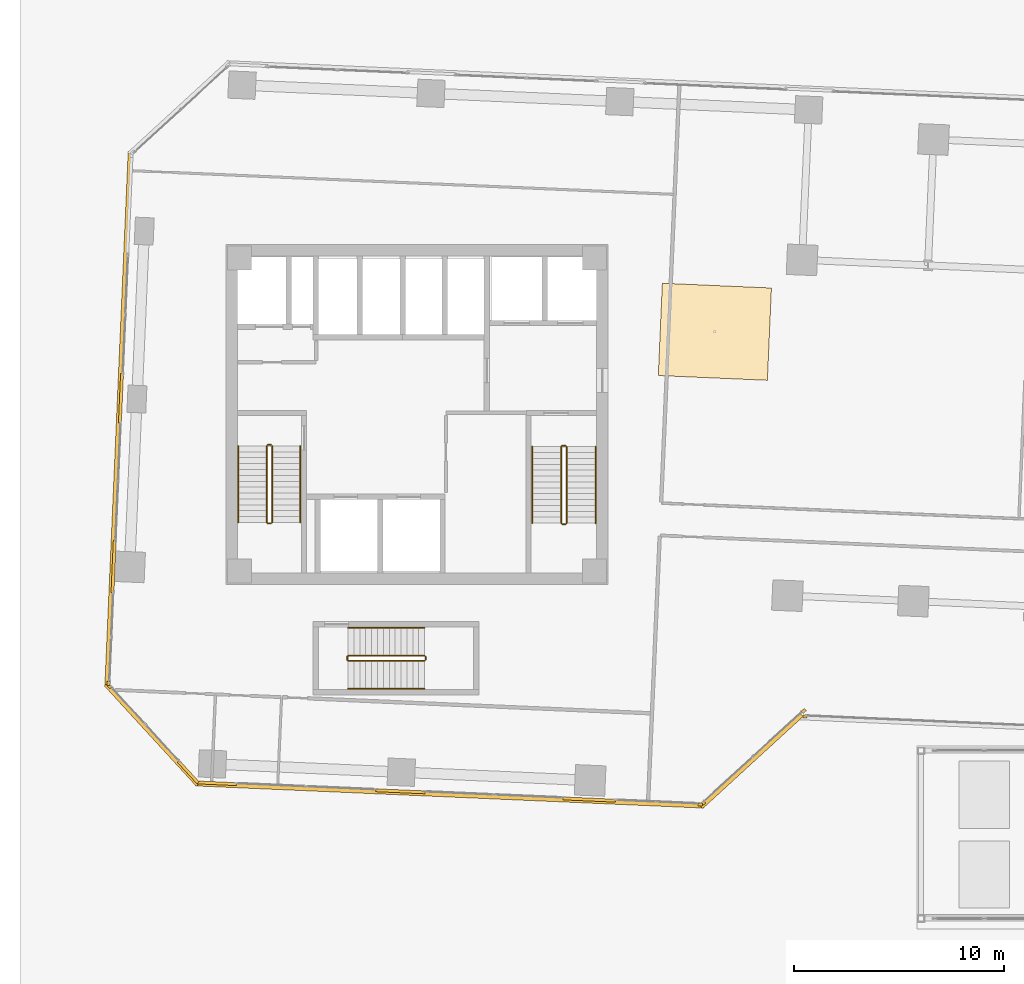
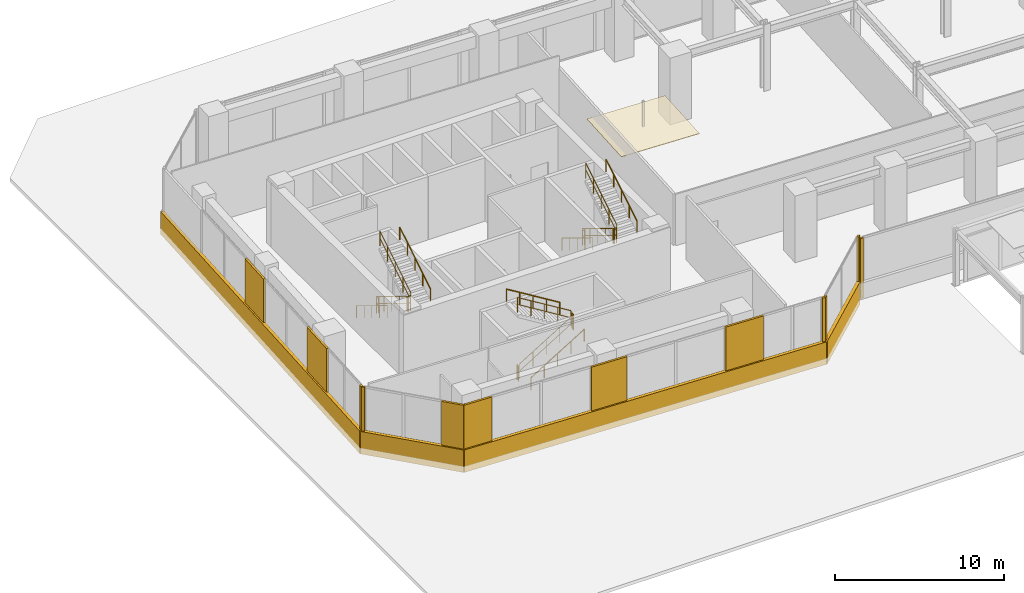
# One storey, part 30 of 33: 18 railings, 17 coverings.
"""IFC4 building model written with IfcOpenShell, lengths in metres."""

import ifcopenshell
import ifcopenshell.guid

model = None  # the IFC model being written
_history = None  # IfcOwnerHistory: only IFC2X3 demands one
_inside = {}  # id of a spatial element -> (the spatial element, [elements in it])
_under = {}  # id of a project, library or spatial element -> (it, [spatial elements below it])
_declared = {}  # id of a project -> (the project, [libraries it declares])
_typed = {}  # id of a type object -> (the type object, [elements of that type])
_made_of = {}  # id of a material, layer set ... -> (it, [elements and type objects made of it])


def new_model(schema):
    """Start an empty IFC model of exactly this schema.

    Asked for "IFC4X3", IfcOpenShell would pick the latest addendum, in which some entities
    have other attributes; the version numbers below select the first issue.
    IFC2X3 requires an IfcOwnerHistory on every rooted entity: one is made here for all.
    """
    global model, _history
    if schema == "IFC4X3":
        model = ifcopenshell.file(schema_version=(4, 3, 0, 0))
    else:
        model = ifcopenshell.file(schema=schema)
    _inside.clear()
    _under.clear()
    _declared.clear()
    _typed.clear()
    _made_of.clear()
    _history = None
    if model.schema == "IFC2X3":
        org = make("IfcOrganization", Name="unknown")
        user = make(
            "IfcPersonAndOrganization",
            ThePerson=make("IfcPerson", FamilyName="unknown"),
            TheOrganization=org,
        )
        app = make(
            "IfcApplication",
            ApplicationDeveloper=org,
            Version="unknown",
            ApplicationFullName="unknown",
            ApplicationIdentifier="unknown",
        )
        _history = make(
            "IfcOwnerHistory",
            OwningUser=user,
            OwningApplication=app,
            ChangeAction="ADDED",
            CreationDate=0,
        )
    return model


def make(cls, **values):
    """One entity of the class cls with the attributes given. An attribute that is None is left unset."""
    return model.create_entity(
        cls, **{name: value for name, value in values.items() if value is not None}
    )


def rooted(cls, **values):
    """An entity with a GlobalId (a new one), such as an element, a storey or a relation."""
    return make(cls, GlobalId=ifcopenshell.guid.new(), OwnerHistory=_history, **values)


def si_unit(unit_type, name, prefix=None):
    """IfcSIUnit, for example si_unit("LENGTHUNIT", "METRE", prefix="MILLI")."""
    return make("IfcSIUnit", UnitType=unit_type, Prefix=prefix, Name=name)


def assignment(units):
    """IfcUnitAssignment: the units of a project."""
    return None if units is None else make("IfcUnitAssignment", Units=units)


def point(xyz):
    """IfcCartesianPoint."""
    return None if xyz is None else make("IfcCartesianPoint", Coordinates=xyz)


def direction(xyz):
    """IfcDirection."""
    return None if xyz is None else make("IfcDirection", DirectionRatios=xyz)


def frame(location, z_axis=None, x_axis=None):
    """IfcAxis2Placement3D, a coordinate frame: its origin and axes. An axis left out is left unset."""
    return make(
        "IfcAxis2Placement3D",
        Location=point(location),
        Axis=direction(z_axis),
        RefDirection=direction(x_axis),
    )


def frame_2d(location, x_axis=None):
    """IfcAxis2Placement2D, a coordinate frame in the plane: its origin and x axis."""
    return make(
        "IfcAxis2Placement2D", Location=point(location), RefDirection=direction(x_axis)
    )


def origin():
    """The frame at (0, 0, 0) with its axes left unset."""
    return frame((0.0, 0.0, 0.0))


def origin_2d():
    """The frame at (0, 0) in the plane with its x axis left unset."""
    return frame_2d((0.0, 0.0))


def place(relative_to, where):
    """IfcLocalPlacement: puts the frame where relative to a parent placement (None: the world)."""
    return make(
        "IfcLocalPlacement", PlacementRelTo=relative_to, RelativePlacement=where
    )


def context(
    kind, dimensions, precision=None, world=None, true_north=None, identifier=None
):
    """IfcGeometricRepresentationContext, for example the 3D "Model" context."""
    return make(
        "IfcGeometricRepresentationContext",
        ContextIdentifier=identifier,
        ContextType=kind,
        CoordinateSpaceDimension=dimensions,
        Precision=precision,
        WorldCoordinateSystem=world,
        TrueNorth=true_north,
    )


def subcontext(parent, identifier, kind, view, scale=None):
    """IfcGeometricRepresentationSubContext, for example "Body" below "Model"."""
    return make(
        "IfcGeometricRepresentationSubContext",
        ContextIdentifier=identifier,
        ContextType=kind,
        ParentContext=parent,
        TargetScale=scale,
        TargetView=view,
    )


def project(units=None, contexts=None):
    """IfcProject with its units and contexts."""
    return rooted(
        "IfcProject",
        Name="project",
        RepresentationContexts=contexts,
        UnitsInContext=assignment(units),
    )


def spatial(cls, under=None, at=None, **own):
    """A site, building, storey or space (cls), placed at a placement, below another one or the project."""
    s = rooted(cls, ObjectPlacement=at, **own)
    if under is not None:
        _under.setdefault(under.id(), (under, []))[1].append(s)
    return s


def polyline(points):
    """IfcPolyline through the points."""
    return make("IfcPolyline", Points=[point(p) for p in points])


def profile(cls, at=None, kind="AREA", **sizes):
    """A parametric profile (cls). Its sizes go by their IFC names, for example OverallWidth=200.0."""
    return make(cls, ProfileType=kind, Position=at, **sizes)


def rectangle(**sizes):
    """IfcRectangleProfileDef."""
    return profile("IfcRectangleProfileDef", **sizes)


def circle(**sizes):
    """IfcCircleProfileDef."""
    return profile("IfcCircleProfileDef", **sizes)


def outline(outer, holes=None, kind="AREA"):
    """IfcArbitraryClosedProfileDef: a profile drawn as a closed curve; with holes, ...WithVoids."""
    if holes is None:
        return make("IfcArbitraryClosedProfileDef", ProfileType=kind, OuterCurve=outer)
    return make(
        "IfcArbitraryProfileDefWithVoids",
        ProfileType=kind,
        OuterCurve=outer,
        InnerCurves=holes,
    )


def extrude(swept, where, along, depth):
    """IfcExtrudedAreaSolid: the profile swept, set in the frame where, extruded along a direction by depth."""
    return make(
        "IfcExtrudedAreaSolid",
        SweptArea=swept,
        Position=where,
        ExtrudedDirection=direction(along),
        Depth=depth,
    )


def shape(context_of_items, identifier, shape_type, items):
    """IfcShapeRepresentation: the items that make up one representation, for example the "Body"."""
    return make(
        "IfcShapeRepresentation",
        ContextOfItems=context_of_items,
        RepresentationIdentifier=identifier,
        RepresentationType=shape_type,
        Items=items,
    )


def source(mapping_origin, context_of_items, identifier, shape_type, items):
    """IfcRepresentationMap: a shape defined once, which mapped items show again and again."""
    return make(
        "IfcRepresentationMap",
        MappingOrigin=mapping_origin,
        MappedRepresentation=shape(context_of_items, identifier, shape_type, items),
    )


def transform(
    local_origin,
    x_axis=None,
    y_axis=None,
    z_axis=None,
    scale=None,
    scale2=None,
    scale3=None,
    uniform=True,
):
    """IfcCartesianTransformationOperator3D, or its non-uniform kind. x_axis, y_axis, z_axis: its Axis1, 2, 3."""
    if uniform:
        return make(
            "IfcCartesianTransformationOperator3D",
            Axis1=direction(x_axis),
            Axis2=direction(y_axis),
            LocalOrigin=point(local_origin),
            Scale=scale,
            Axis3=direction(z_axis),
        )
    return make(
        "IfcCartesianTransformationOperator3DnonUniform",
        Axis1=direction(x_axis),
        Axis2=direction(y_axis),
        LocalOrigin=point(local_origin),
        Scale=scale,
        Axis3=direction(z_axis),
        Scale2=scale2,
        Scale3=scale3,
    )


def mapped(mapping_source, mapping_target):
    """IfcMappedItem: shows the shape of a source again, moved by a transform."""
    return make(
        "IfcMappedItem", MappingSource=mapping_source, MappingTarget=mapping_target
    )


def material(Name=None, Category=None):
    """IfcMaterial."""
    return make("IfcMaterial", Name=Name, Category=Category)


def layer(
    of_material, thickness, ventilated=None, Name=None, Category=None, Priority=None
):
    """IfcMaterialLayer: one layer of a wall or slab, of a material (None: an air gap)."""
    return make(
        "IfcMaterialLayer",
        Material=of_material,
        LayerThickness=thickness,
        IsVentilated=ventilated,
        Name=Name,
        Category=Category,
        Priority=Priority,
    )


def layer_set(layers, Name=None):
    """IfcMaterialLayerSet."""
    return make("IfcMaterialLayerSet", MaterialLayers=layers, LayerSetName=Name)


def made_of(thing, what):
    """Note that an element or type object is made of a material, layer set ...; save() writes the relation."""
    if what is not None:
        _made_of.setdefault(what.id(), (what, []))[1].append(thing)
    return thing


def type_object(cls, material=None, **own):
    """A type object (cls), such as IfcWallType, which elements share."""
    return made_of(rooted(cls, **own), material)


def element(
    cls,
    number,
    at=None,
    inside=None,
    cuts=None,
    type_object=None,
    material=None,
    context=None,
    identifier="Body",
    shape_type=None,
    held_by="IfcProductDefinitionShape",
    body=None,
    shapes=None,
    **own,
):
    """One element of the class cls, such as IfcWall. Its Tag is "e" and its number.

    at: its placement. inside: the storey or other place that contains it. cuts: it is an
    opening in that element (IfcRelVoidsElement). A single representation is given by context,
    identifier, shape_type and body (its items); several are given by shapes. held_by: the class
    of the entity that holds the representations. save() writes the other relations.
    """
    e = rooted(cls, Tag="e%d" % number, ObjectPlacement=at, **own)
    if body is not None:
        shapes = [shape(context, identifier, shape_type, body)]
    if shapes is not None:
        e.Representation = make(held_by, Representations=shapes)
    if inside is not None:
        _inside.setdefault(inside.id(), (inside, []))[1].append(e)
    if cuts is not None:
        rooted(
            "IfcRelVoidsElement", RelatingBuildingElement=cuts, RelatedOpeningElement=e
        )
    if type_object is not None:
        _typed.setdefault(type_object.id(), (type_object, []))[1].append(e)
    return made_of(e, material)


def aggregate(whole, parts):
    """IfcRelAggregates: a whole, such as a stair, and the parts it consists of."""
    return rooted("IfcRelAggregates", RelatingObject=whole, RelatedObjects=parts)


def save(model, path):
    """Write the relations noted so far, then the file.

    IfcRelAggregates (storeys below a building ...), IfcRelContainedInSpatialStructure (elements
    in a storey), IfcRelDefinesByType, IfcRelAssociatesMaterial and IfcRelDeclares: one each for
    every whole, place, type object, material and project.
    """
    for whole, parts in _under.values():
        aggregate(whole, parts)
    for where, things in _inside.values():
        rooted(
            "IfcRelContainedInSpatialStructure",
            RelatedElements=things,
            RelatingStructure=where,
        )
    for kind, things in _typed.values():
        rooted("IfcRelDefinesByType", RelatedObjects=things, RelatingType=kind)
    for what, things in _made_of.values():
        rooted("IfcRelAssociatesMaterial", RelatedObjects=things, RelatingMaterial=what)
    for by, libraries in _declared.values():
        rooted("IfcRelDeclares", RelatingContext=by, RelatedDefinitions=libraries)
    model.write(path)


model = new_model("IFC4")

# Units and contexts
model_context = context("Model", 3, precision=1e-05, world=origin(), true_north=direction((0.0, 1.0)))
body_context = subcontext(model_context, "Body", "Model", "MODEL_VIEW")
ifc_project = project(units=[si_unit("LENGTHUNIT", "METRE"), si_unit("AREAUNIT", "SQUARE_METRE"), si_unit("VOLUMEUNIT", "CUBIC_METRE"), si_unit("PLANEANGLEUNIT", "RADIAN"), si_unit("MASSUNIT", "GRAM", prefix="KILO")], contexts=[model_context])

# Site, building, storey
site_placement = place(None, origin())
site = spatial("IfcSite", under=ifc_project, at=site_placement, CompositionType="ELEMENT")
building_placement = place(site_placement, origin())
building = spatial("IfcBuilding", under=site, at=building_placement, Name="Torre Montelarca", CompositionType="ELEMENT")
storey_placement = place(building_placement, frame((0.0, 0.0, 32.800048828125)))
storey = spatial("IfcBuildingStorey", under=building, at=storey_placement, Name="L07", CompositionType="ELEMENT", Elevation=32.800048828125)

# Covering
ifc_material_1 = material(Name="Perforated acoustic mineral fibre board", Category="gypsum")
ifc_layer_1 = layer(ifc_material_1, 0.0400390625, Name="Perforated acoustic mineral fibre board", Category="gypsum")
ifc_layer_set_1 = layer_set([ifc_layer_1], Name="Perforated acoustic mineral fibre board")
covering_type_1 = type_object("IfcCoveringType", Name="COV-CEIL-AC1", PredefinedType="CEILING", material=ifc_layer_set_1)
covering_1_placement = place(storey_placement, frame((0.0, 0.0, 2.719970703125)))
element("IfcCovering", 1, at=covering_1_placement, inside=storey, type_object=covering_type_1, Name="L07 Acoustic Suspended Ceiling 01", PredefinedType="CEILING", context=body_context, shape_type="SweptSolid", body=[
    extrude(outline(polyline([(29.48828125, 33.853271484375), (34.68359375, 33.62646484375), (34.87548828125, 38.022216796875), (29.680419921875, 38.2490234375), (29.48828125, 33.853271484375)])), origin(), (0.0, 0.0, 1.0), 0.0400390625),
])

# Railings
ifc_material_2 = material(Name="Powder-coated steel ASTM A500 Grade C", Category="steel")
railing_type_1 = type_object("IfcRailingType", Name="RL-GUARD-1100", PredefinedType="BALUSTRADE", material=ifc_material_2)
railing_1_placement = place(storey_placement, frame((10.85009765625, 30.5, 0.17138671875)))
element("IfcRailing", 2, at=railing_1_placement, inside=storey, type_object=railing_type_1, Name="L07 ST1 stair guard 1", PredefinedType="BALUSTRADE", context=body_context, shape_type="SweptSolid", body=[
    extrude(circle(Radius=0.02392578125, at=origin_2d()), frame((0.0, 0.0, 1.076171875), z_axis=(0.0, -0.852850264322, 0.5221555579), x_axis=(1.0, 0.0, 0.0)), (0.0, 0.0, 1.0), 4.267822265625),
    extrude(circle(Radius=0.02099609375, at=origin_2d()), frame((0.0, 0.0, 0.572021484375), z_axis=(0.0, -0.852850264322, 0.5221555579), x_axis=(1.0, 0.0, 0.0)), (0.0, 0.0, 1.0), 4.267822265625),
    extrude(circle(Radius=0.02099609375, at=origin_2d()), origin(), (0.0, 0.0, 1.0), 1.052001953125),
    extrude(circle(Radius=0.02099609375, at=origin_2d()), frame((0.0, -0.909912109375, 0.55712890625)), (0.0, 0.0, 1.0), 1.052001953125),
    extrude(circle(Radius=0.02099609375, at=origin_2d()), frame((0.0, -1.81982421875, 1.1142578125)), (0.0, 0.0, 1.0), 1.052001953125),
    extrude(circle(Radius=0.02099609375, at=origin_2d()), frame((0.0, -2.72998046875, 1.67138671875)), (0.0, 0.0, 1.0), 1.052001953125),
    extrude(circle(Radius=0.02099609375, at=origin_2d()), frame((0.0, -3.639892578125, 2.228515625)), (0.0, 0.0, 1.0), 1.052001953125),
])
railing_2_placement = place(storey_placement, frame((10.89990234375, 26.81005859375, 2.39990234375)))
element("IfcRailing", 3, at=railing_2_placement, inside=storey, type_object=railing_type_1, Name="L07 ST1 stair guard 2", PredefinedType="BALUSTRADE", context=body_context, shape_type="SweptSolid", body=[
    extrude(circle(Radius=0.02392578125, at=origin_2d()), frame((0.0, 0.0, 1.076171875), z_axis=(1.0, 0.0, 0.0), x_axis=(0.0, 1.0, 0.0)), (0.0, 0.0, 1.0), 0.150146484375),
    extrude(circle(Radius=0.02099609375, at=origin_2d()), frame((0.0, 0.0, 0.572021484375), z_axis=(1.0, 0.0, 0.0), x_axis=(0.0, 1.0, 0.0)), (0.0, 0.0, 1.0), 0.150146484375),
    extrude(circle(Radius=0.02099609375, at=origin_2d()), origin(), (0.0, 0.0, 1.0), 1.052001953125),
    extrude(circle(Radius=0.02099609375, at=origin_2d()), frame((0.150146484375, 0.0, 0.0)), (0.0, 0.0, 1.0), 1.052001953125),
])
railing_3_placement = place(storey_placement, frame((11.10009765625, 26.860107421875, 2.5712890625)))
element("IfcRailing", 4, at=railing_3_placement, inside=storey, type_object=railing_type_1, Name="L07 ST1 stair guard 3", PredefinedType="BALUSTRADE", context=body_context, shape_type="SweptSolid", body=[
    extrude(circle(Radius=0.02392578125, at=origin_2d()), frame((0.0, 0.0, 1.076171875), z_axis=(0.0, 0.852824790078, 0.522197163366), x_axis=(-1.0, 0.0, 0.0)), (0.0, 0.0, 1.0), 4.26806640625),
    extrude(circle(Radius=0.02099609375, at=origin_2d()), frame((0.0, 0.0, 0.572021484375), z_axis=(0.0, 0.852824790078, 0.522197163366), x_axis=(-1.0, 0.0, 0.0)), (0.0, 0.0, 1.0), 4.26806640625),
    extrude(circle(Radius=0.02099609375, at=origin_2d()), origin(), (0.0, 0.0, 1.0), 1.052001953125),
    extrude(circle(Radius=0.02099609375, at=origin_2d()), frame((0.0, 0.909912109375, 0.55712890625)), (0.0, 0.0, 1.0), 1.052001953125),
    extrude(circle(Radius=0.02099609375, at=origin_2d()), frame((0.0, 1.81982421875, 1.1142578125)), (0.0, 0.0, 1.0), 1.052001953125),
    extrude(circle(Radius=0.02099609375, at=origin_2d()), frame((0.0, 2.72998046875, 1.671630859375)), (0.0, 0.0, 1.0), 1.052001953125),
    extrude(circle(Radius=0.02099609375, at=origin_2d()), frame((0.0, 3.639892578125, 2.228759765625)), (0.0, 0.0, 1.0), 1.052001953125),
])
railing_4_placement = place(storey_placement, frame((10.89990234375, 30.550048828125, 0.0)))
element("IfcRailing", 5, at=railing_4_placement, inside=storey, type_object=railing_type_1, Name="L07 ST1 stair guard 4", PredefinedType="BALUSTRADE", context=body_context, shape_type="SweptSolid", body=[
    extrude(circle(Radius=0.02392578125, at=origin_2d()), frame((0.0, 0.0, 1.076171875), z_axis=(1.0, 0.0, 0.0), x_axis=(0.0, 1.0, 0.0)), (0.0, 0.0, 1.0), 0.150146484375),
    extrude(circle(Radius=0.02099609375, at=origin_2d()), frame((0.0, 0.0, 0.572021484375), z_axis=(1.0, 0.0, 0.0), x_axis=(0.0, 1.0, 0.0)), (0.0, 0.0, 1.0), 0.150146484375),
    extrude(circle(Radius=0.02099609375, at=origin_2d()), origin(), (0.0, 0.0, 1.0), 1.052001953125),
    extrude(circle(Radius=0.02099609375, at=origin_2d()), frame((0.150146484375, 0.0, 0.0)), (0.0, 0.0, 1.0), 1.052001953125),
])
railing_5_placement = place(storey_placement, frame((24.8701171875, 30.469970703125, 0.17138671875)))
element("IfcRailing", 6, at=railing_5_placement, inside=storey, type_object=railing_type_1, Name="L07 ST2 stair guard 1", PredefinedType="BALUSTRADE", context=body_context, shape_type="SweptSolid", body=[
    extrude(circle(Radius=0.02392578125, at=origin_2d()), frame((0.0, 0.0, 1.076171875), z_axis=(0.0, -0.852850264322, 0.5221555579), x_axis=(1.0, 0.0, 0.0)), (0.0, 0.0, 1.0), 4.267822265625),
    extrude(circle(Radius=0.02099609375, at=origin_2d()), frame((0.0, 0.0, 0.572021484375), z_axis=(0.0, -0.852850264322, 0.5221555579), x_axis=(1.0, 0.0, 0.0)), (0.0, 0.0, 1.0), 4.267822265625),
    extrude(circle(Radius=0.02099609375, at=origin_2d()), origin(), (0.0, 0.0, 1.0), 1.052001953125),
    extrude(circle(Radius=0.02099609375, at=origin_2d()), frame((0.0, -0.909912109375, 0.55712890625)), (0.0, 0.0, 1.0), 1.052001953125),
    extrude(circle(Radius=0.02099609375, at=origin_2d()), frame((0.0, -1.81982421875, 1.1142578125)), (0.0, 0.0, 1.0), 1.052001953125),
    extrude(circle(Radius=0.02099609375, at=origin_2d()), frame((0.0, -2.72998046875, 1.67138671875)), (0.0, 0.0, 1.0), 1.052001953125),
    extrude(circle(Radius=0.02099609375, at=origin_2d()), frame((0.0, -3.639892578125, 2.228515625)), (0.0, 0.0, 1.0), 1.052001953125),
])
railing_6_placement = place(storey_placement, frame((24.919921875, 26.780029296875, 2.39990234375)))
element("IfcRailing", 7, at=railing_6_placement, inside=storey, type_object=railing_type_1, Name="L07 ST2 stair guard 2", PredefinedType="BALUSTRADE", context=body_context, shape_type="SweptSolid", body=[
    extrude(circle(Radius=0.02392578125, at=origin_2d()), frame((0.0, 0.0, 1.076171875), z_axis=(1.0, 0.0, 0.0), x_axis=(0.0, 1.0, 0.0)), (0.0, 0.0, 1.0), 0.150146484375),
    extrude(circle(Radius=0.02099609375, at=origin_2d()), frame((0.0, 0.0, 0.572021484375), z_axis=(1.0, 0.0, 0.0), x_axis=(0.0, 1.0, 0.0)), (0.0, 0.0, 1.0), 0.150146484375),
    extrude(circle(Radius=0.02099609375, at=origin_2d()), origin(), (0.0, 0.0, 1.0), 1.052001953125),
    extrude(circle(Radius=0.02099609375, at=origin_2d()), frame((0.150146484375, 0.0, 0.0)), (0.0, 0.0, 1.0), 1.052001953125),
])
railing_7_placement = place(storey_placement, frame((25.1201171875, 26.830078125, 2.5712890625)))
element("IfcRailing", 8, at=railing_7_placement, inside=storey, type_object=railing_type_1, Name="L07 ST2 stair guard 3", PredefinedType="BALUSTRADE", context=body_context, shape_type="SweptSolid", body=[
    extrude(circle(Radius=0.02392578125, at=origin_2d()), frame((0.0, 0.0, 1.076171875), z_axis=(0.0, 0.852824790078, 0.522197163366), x_axis=(-1.0, 0.0, 0.0)), (0.0, 0.0, 1.0), 4.26806640625),
    extrude(circle(Radius=0.02099609375, at=origin_2d()), frame((0.0, 0.0, 0.572021484375), z_axis=(0.0, 0.852824790078, 0.522197163366), x_axis=(-1.0, 0.0, 0.0)), (0.0, 0.0, 1.0), 4.26806640625),
    extrude(circle(Radius=0.02099609375, at=origin_2d()), origin(), (0.0, 0.0, 1.0), 1.052001953125),
    extrude(circle(Radius=0.02099609375, at=origin_2d()), frame((0.0, 0.909912109375, 0.55712890625)), (0.0, 0.0, 1.0), 1.052001953125),
    extrude(circle(Radius=0.02099609375, at=origin_2d()), frame((0.0, 1.81982421875, 1.1142578125)), (0.0, 0.0, 1.0), 1.052001953125),
    extrude(circle(Radius=0.02099609375, at=origin_2d()), frame((0.0, 2.72998046875, 1.671630859375)), (0.0, 0.0, 1.0), 1.052001953125),
    extrude(circle(Radius=0.02099609375, at=origin_2d()), frame((0.0, 3.639892578125, 2.228759765625)), (0.0, 0.0, 1.0), 1.052001953125),
])
railing_8_placement = place(storey_placement, frame((24.919921875, 30.52001953125, 0.0)))
element("IfcRailing", 9, at=railing_8_placement, inside=storey, type_object=railing_type_1, Name="L07 ST2 stair guard 4", PredefinedType="BALUSTRADE", context=body_context, shape_type="SweptSolid", body=[
    extrude(circle(Radius=0.02392578125, at=origin_2d()), frame((0.0, 0.0, 1.076171875), z_axis=(1.0, 0.0, 0.0), x_axis=(0.0, 1.0, 0.0)), (0.0, 0.0, 1.0), 0.150146484375),
    extrude(circle(Radius=0.02099609375, at=origin_2d()), frame((0.0, 0.0, 0.572021484375), z_axis=(1.0, 0.0, 0.0), x_axis=(0.0, 1.0, 0.0)), (0.0, 0.0, 1.0), 0.150146484375),
    extrude(circle(Radius=0.02099609375, at=origin_2d()), origin(), (0.0, 0.0, 1.0), 1.052001953125),
    extrude(circle(Radius=0.02099609375, at=origin_2d()), frame((0.150146484375, 0.0, 0.0)), (0.0, 0.0, 1.0), 1.052001953125),
])
railing_9_placement = place(storey_placement, frame((14.719970703125, 20.27001953125, 0.17138671875)))
element("IfcRailing", 10, at=railing_9_placement, inside=storey, type_object=railing_type_1, Name="L07 ST3 stair guard 1", PredefinedType="BALUSTRADE", context=body_context, shape_type="SweptSolid", body=[
    extrude(circle(Radius=0.02392578125, at=origin_2d()), frame((0.0, 0.0, 1.076171875), z_axis=(0.852865859571, 0.0, 0.52213008492), x_axis=(0.0, 1.0, 0.0)), (0.0, 0.0, 1.0), 4.26806640625),
    extrude(circle(Radius=0.02099609375, at=origin_2d()), frame((0.0, 0.0, 0.572021484375), z_axis=(0.852865859571, 0.0, 0.52213008492), x_axis=(0.0, 1.0, 0.0)), (0.0, 0.0, 1.0), 4.26806640625),
    extrude(circle(Radius=0.02099609375, at=origin_2d()), origin(), (0.0, 0.0, 1.0), 1.052001953125),
    extrude(circle(Radius=0.02099609375, at=origin_2d()), frame((0.91015625, 0.0, 0.55712890625)), (0.0, 0.0, 1.0), 1.052001953125),
    extrude(circle(Radius=0.02099609375, at=origin_2d()), frame((1.820068359375, 0.0, 1.1142578125)), (0.0, 0.0, 1.0), 1.052001953125),
    extrude(circle(Radius=0.02099609375, at=origin_2d()), frame((2.72998046875, 0.0, 1.67138671875)), (0.0, 0.0, 1.0), 1.052001953125),
    extrude(circle(Radius=0.02099609375, at=origin_2d()), frame((3.64013671875, 0.0, 2.228515625)), (0.0, 0.0, 1.0), 1.052001953125),
])
railing_10_placement = place(storey_placement, frame((18.409912109375, 20.320068359375, 2.39990234375)))
element("IfcRailing", 11, at=railing_10_placement, inside=storey, type_object=railing_type_1, Name="L07 ST3 stair guard 2", PredefinedType="BALUSTRADE", context=body_context, shape_type="SweptSolid", body=[
    extrude(circle(Radius=0.02392578125, at=origin_2d()), frame((0.0, 0.0, 1.076171875), z_axis=(0.0, 1.0, 0.0), x_axis=(-1.0, 0.0, 0.0)), (0.0, 0.0, 1.0), 0.14990234375),
    extrude(circle(Radius=0.02099609375, at=origin_2d()), frame((0.0, 0.0, 0.572021484375), z_axis=(0.0, 1.0, 0.0), x_axis=(-1.0, 0.0, 0.0)), (0.0, 0.0, 1.0), 0.14990234375),
    extrude(circle(Radius=0.02099609375, at=origin_2d()), origin(), (0.0, 0.0, 1.0), 1.052001953125),
    extrude(circle(Radius=0.02099609375, at=origin_2d()), frame((0.0, 0.14990234375, 0.0)), (0.0, 0.0, 1.0), 1.052001953125),
])
railing_11_placement = place(storey_placement, frame((18.360107421875, 20.52001953125, 2.5712890625)))
element("IfcRailing", 12, at=railing_11_placement, inside=storey, type_object=railing_type_1, Name="L07 ST3 stair guard 3", PredefinedType="BALUSTRADE", context=body_context, shape_type="SweptSolid", body=[
    extrude(circle(Radius=0.02392578125, at=origin_2d()), frame((0.0, 0.0, 1.076171875), z_axis=(-0.852840387347, 0.0, 0.522171689878), x_axis=(0.0, -1.0, 0.0)), (0.0, 0.0, 1.0), 4.268310546875),
    extrude(circle(Radius=0.02099609375, at=origin_2d()), frame((0.0, 0.0, 0.572021484375), z_axis=(-0.852840387347, 0.0, 0.522171689878), x_axis=(0.0, -1.0, 0.0)), (0.0, 0.0, 1.0), 4.268310546875),
    extrude(circle(Radius=0.02099609375, at=origin_2d()), origin(), (0.0, 0.0, 1.0), 1.052001953125),
    extrude(circle(Radius=0.02099609375, at=origin_2d()), frame((-0.91015625, 0.0, 0.55712890625)), (0.0, 0.0, 1.0), 1.052001953125),
    extrude(circle(Radius=0.02099609375, at=origin_2d()), frame((-1.820068359375, 0.0, 1.1142578125)), (0.0, 0.0, 1.0), 1.052001953125),
    extrude(circle(Radius=0.02099609375, at=origin_2d()), frame((-2.72998046875, 0.0, 1.671630859375)), (0.0, 0.0, 1.0), 1.052001953125),
    extrude(circle(Radius=0.02099609375, at=origin_2d()), frame((-3.64013671875, 0.0, 2.228759765625)), (0.0, 0.0, 1.0), 1.052001953125),
])
railing_12_placement = place(storey_placement, frame((14.669921875, 20.320068359375, 0.0)))
element("IfcRailing", 13, at=railing_12_placement, inside=storey, type_object=railing_type_1, Name="L07 ST3 stair guard 4", PredefinedType="BALUSTRADE", context=body_context, shape_type="SweptSolid", body=[
    extrude(circle(Radius=0.02392578125, at=origin_2d()), frame((0.0, 0.0, 1.076171875), z_axis=(0.0, 1.0, 0.0), x_axis=(-1.0, 0.0, 0.0)), (0.0, 0.0, 1.0), 0.14990234375),
    extrude(circle(Radius=0.02099609375, at=origin_2d()), frame((0.0, 0.0, 0.572021484375), z_axis=(0.0, 1.0, 0.0), x_axis=(-1.0, 0.0, 0.0)), (0.0, 0.0, 1.0), 0.14990234375),
    extrude(circle(Radius=0.02099609375, at=origin_2d()), origin(), (0.0, 0.0, 1.0), 1.052001953125),
    extrude(circle(Radius=0.02099609375, at=origin_2d()), frame((0.0, 0.14990234375, 0.0)), (0.0, 0.0, 1.0), 1.052001953125),
])
ifc_material_3 = material(Name="Brushed stainless steel AISI 316", Category="steel")
railing_type_2 = type_object("IfcRailingType", Name="RL-HANDRAIL-900", PredefinedType="HANDRAIL", material=ifc_material_3)
railing_13_placement = place(storey_placement, frame((9.5, 30.5, 0.17138671875)))
element("IfcRailing", 14, at=railing_13_placement, inside=storey, type_object=railing_type_2, Name="L07 ST1 stair handrail 1", PredefinedType="HANDRAIL", context=body_context, shape_type="SweptSolid", body=[
    extrude(circle(Radius=0.02392578125, at=origin_2d()), frame((0.0, 0.0, 0.8759765625), z_axis=(0.0, -0.852850264322, 0.5221555579), x_axis=(1.0, 0.0, 0.0)), (0.0, 0.0, 1.0), 4.267822265625),
    extrude(circle(Radius=0.02099609375, at=origin_2d()), origin(), (0.0, 0.0, 1.0), 0.851806640625),
    extrude(circle(Radius=0.02099609375, at=origin_2d()), frame((0.0, -0.909912109375, 0.55712890625)), (0.0, 0.0, 1.0), 0.851806640625),
    extrude(circle(Radius=0.02099609375, at=origin_2d()), frame((0.0, -1.81982421875, 1.1142578125)), (0.0, 0.0, 1.0), 0.851806640625),
    extrude(circle(Radius=0.02099609375, at=origin_2d()), frame((0.0, -2.72998046875, 1.67138671875)), (0.0, 0.0, 1.0), 0.851806640625),
    extrude(circle(Radius=0.02099609375, at=origin_2d()), frame((0.0, -3.639892578125, 2.228515625)), (0.0, 0.0, 1.0), 0.851806640625),
])
railing_14_placement = place(storey_placement, frame((12.449951171875, 26.860107421875, 2.5712890625)))
element("IfcRailing", 15, at=railing_14_placement, inside=storey, type_object=railing_type_2, Name="L07 ST1 stair handrail 2", PredefinedType="HANDRAIL", context=body_context, shape_type="SweptSolid", body=[
    extrude(circle(Radius=0.02392578125, at=origin_2d()), frame((0.0, 0.0, 0.8759765625), z_axis=(0.0, 0.852824790078, 0.522197163366), x_axis=(-1.0, 0.0, 0.0)), (0.0, 0.0, 1.0), 4.26806640625),
    extrude(circle(Radius=0.02099609375, at=origin_2d()), origin(), (0.0, 0.0, 1.0), 0.851806640625),
    extrude(circle(Radius=0.02099609375, at=origin_2d()), frame((0.0, 0.909912109375, 0.55712890625)), (0.0, 0.0, 1.0), 0.851806640625),
    extrude(circle(Radius=0.02099609375, at=origin_2d()), frame((0.0, 1.81982421875, 1.1142578125)), (0.0, 0.0, 1.0), 0.851806640625),
    extrude(circle(Radius=0.02099609375, at=origin_2d()), frame((0.0, 2.72998046875, 1.671630859375)), (0.0, 0.0, 1.0), 0.851806640625),
    extrude(circle(Radius=0.02099609375, at=origin_2d()), frame((0.0, 3.639892578125, 2.228759765625)), (0.0, 0.0, 1.0), 0.851806640625),
])
railing_15_placement = place(storey_placement, frame((23.489990234375, 30.469970703125, 0.17138671875)))
element("IfcRailing", 16, at=railing_15_placement, inside=storey, type_object=railing_type_2, Name="L07 ST2 stair handrail 1", PredefinedType="HANDRAIL", context=body_context, shape_type="SweptSolid", body=[
    extrude(circle(Radius=0.02392578125, at=origin_2d()), frame((0.0, 0.0, 0.8759765625), z_axis=(0.0, -0.852850264322, 0.5221555579), x_axis=(1.0, 0.0, 0.0)), (0.0, 0.0, 1.0), 4.267822265625),
    extrude(circle(Radius=0.02099609375, at=origin_2d()), origin(), (0.0, 0.0, 1.0), 0.851806640625),
    extrude(circle(Radius=0.02099609375, at=origin_2d()), frame((0.0, -0.909912109375, 0.55712890625)), (0.0, 0.0, 1.0), 0.851806640625),
    extrude(circle(Radius=0.02099609375, at=origin_2d()), frame((0.0, -1.81982421875, 1.1142578125)), (0.0, 0.0, 1.0), 0.851806640625),
    extrude(circle(Radius=0.02099609375, at=origin_2d()), frame((0.0, -2.72998046875, 1.67138671875)), (0.0, 0.0, 1.0), 0.851806640625),
    extrude(circle(Radius=0.02099609375, at=origin_2d()), frame((0.0, -3.639892578125, 2.228515625)), (0.0, 0.0, 1.0), 0.851806640625),
])
railing_16_placement = place(storey_placement, frame((26.5, 26.830078125, 2.5712890625)))
element("IfcRailing", 17, at=railing_16_placement, inside=storey, type_object=railing_type_2, Name="L07 ST2 stair handrail 2", PredefinedType="HANDRAIL", context=body_context, shape_type="SweptSolid", body=[
    extrude(circle(Radius=0.02392578125, at=origin_2d()), frame((0.0, 0.0, 0.8759765625), z_axis=(0.0, 0.852824790078, 0.522197163366), x_axis=(-1.0, 0.0, 0.0)), (0.0, 0.0, 1.0), 4.26806640625),
    extrude(circle(Radius=0.02099609375, at=origin_2d()), origin(), (0.0, 0.0, 1.0), 0.851806640625),
    extrude(circle(Radius=0.02099609375, at=origin_2d()), frame((0.0, 0.909912109375, 0.55712890625)), (0.0, 0.0, 1.0), 0.851806640625),
    extrude(circle(Radius=0.02099609375, at=origin_2d()), frame((0.0, 1.81982421875, 1.1142578125)), (0.0, 0.0, 1.0), 0.851806640625),
    extrude(circle(Radius=0.02099609375, at=origin_2d()), frame((0.0, 2.72998046875, 1.671630859375)), (0.0, 0.0, 1.0), 0.851806640625),
    extrude(circle(Radius=0.02099609375, at=origin_2d()), frame((0.0, 3.639892578125, 2.228759765625)), (0.0, 0.0, 1.0), 0.851806640625),
])
railing_17_placement = place(storey_placement, frame((14.719970703125, 18.949951171875, 0.17138671875)))
element("IfcRailing", 18, at=railing_17_placement, inside=storey, type_object=railing_type_2, Name="L07 ST3 stair handrail 1", PredefinedType="HANDRAIL", context=body_context, shape_type="SweptSolid", body=[
    extrude(circle(Radius=0.02392578125, at=origin_2d()), frame((0.0, 0.0, 0.8759765625), z_axis=(0.852865859571, 0.0, 0.52213008492), x_axis=(0.0, 1.0, 0.0)), (0.0, 0.0, 1.0), 4.26806640625),
    extrude(circle(Radius=0.02099609375, at=origin_2d()), origin(), (0.0, 0.0, 1.0), 0.851806640625),
    extrude(circle(Radius=0.02099609375, at=origin_2d()), frame((0.91015625, 0.0, 0.55712890625)), (0.0, 0.0, 1.0), 0.851806640625),
    extrude(circle(Radius=0.02099609375, at=origin_2d()), frame((1.820068359375, 0.0, 1.1142578125)), (0.0, 0.0, 1.0), 0.851806640625),
    extrude(circle(Radius=0.02099609375, at=origin_2d()), frame((2.72998046875, 0.0, 1.67138671875)), (0.0, 0.0, 1.0), 0.851806640625),
    extrude(circle(Radius=0.02099609375, at=origin_2d()), frame((3.64013671875, 0.0, 2.228515625)), (0.0, 0.0, 1.0), 0.851806640625),
])
railing_18_placement = place(storey_placement, frame((18.360107421875, 21.840087890625, 2.5712890625)))
element("IfcRailing", 19, at=railing_18_placement, inside=storey, type_object=railing_type_2, Name="L07 ST3 stair handrail 2", PredefinedType="HANDRAIL", context=body_context, shape_type="SweptSolid", body=[
    extrude(circle(Radius=0.02392578125, at=origin_2d()), frame((0.0, 0.0, 0.8759765625), z_axis=(-0.852840387347, 0.0, 0.522171689878), x_axis=(0.0, -1.0, 0.0)), (0.0, 0.0, 1.0), 4.268310546875),
    extrude(circle(Radius=0.02099609375, at=origin_2d()), origin(), (0.0, 0.0, 1.0), 0.851806640625),
    extrude(circle(Radius=0.02099609375, at=origin_2d()), frame((-0.91015625, 0.0, 0.55712890625)), (0.0, 0.0, 1.0), 0.851806640625),
    extrude(circle(Radius=0.02099609375, at=origin_2d()), frame((-1.820068359375, 0.0, 1.1142578125)), (0.0, 0.0, 1.0), 0.851806640625),
    extrude(circle(Radius=0.02099609375, at=origin_2d()), frame((-2.72998046875, 0.0, 1.671630859375)), (0.0, 0.0, 1.0), 0.851806640625),
    extrude(circle(Radius=0.02099609375, at=origin_2d()), frame((-3.64013671875, 0.0, 2.228759765625)), (0.0, 0.0, 1.0), 0.851806640625),
])

# Coverings
ifc_material_4 = material(Name="Bush-hammered warm white precast concrete C45/55", Category="concrete")
ifc_layer_2 = layer(ifc_material_4, 0.139892578125, Name="Bush-hammered warm white precast concrete C45/55", Category="concrete")
ifc_layer_set_2 = layer_set([ifc_layer_2], Name="Bush-hammered warm white precast concrete C45/55")
covering_type_2 = type_object("IfcCoveringType", Name="COV-TRAY-CLAD", PredefinedType="CLADDING", material=ifc_layer_set_2)
shared_shape_1 = source(origin(), body_context, "Body", "SweptSolid", [
    extrude(rectangle(XDim=1.864013671875, YDim=0.139892578125, at=origin_2d()), origin(), (0.0, 0.0, 1.0), 4.320068359375),
])
covering_2_placement = place(storey_placement, frame((8.469482421875, 14.441650390625, 0.0), z_axis=(0.0, 0.0, 1.0), x_axis=(0.999048221582, -0.043619387365, 0.0)))
element("IfcCovering", 20, at=covering_2_placement, inside=storey, type_object=covering_type_2, Name="L07 Architectural Column Pier Cladding E01-1", PredefinedType="CLADDING", context=body_context, shape_type="MappedRepresentation", body=[
    mapped(shared_shape_1, transform((0.0, 0.0, 0.0), scale=1.0)),
])
shared_shape_2 = source(origin(), body_context, "Body", "SweptSolid", [
    extrude(rectangle(XDim=2.360107421875, YDim=0.139892578125, at=origin_2d()), origin(), (0.0, 0.0, 1.0), 4.320068359375),
])
for number, where, z_axis, x_axis, name in (
    (21, (17.21337890625, 14.059814453125, 0.0), (0.0, 0.0, 1.0), (0.999048221582, -0.043619387365, 0.0), "L07 Architectural Column Pier Cladding E01-2"),
    (22, (3.90673828125, 32.76806640625, 0.0), (0.0, 0.0, 1.0), (-0.043619387365, -0.999048221582, 0.0), "L07 Architectural Column Pier Cladding E10-3"),
):
    element("IfcCovering", number, at=place(storey_placement, frame(where, z_axis=z_axis, x_axis=x_axis)), inside=storey, type_object=covering_type_2, Name=name, PredefinedType="CLADDING", context=body_context, shape_type="MappedRepresentation", body=[
        mapped(shared_shape_2, transform((0.0, 0.0, 0.0), scale=1.0)),
    ])
shared_shape_3 = source(origin(), body_context, "Body", "SweptSolid", [
    extrude(rectangle(XDim=2.510009765625, YDim=0.139892578125, at=origin_2d()), origin(), (0.0, 0.0, 1.0), 4.320068359375),
])
for number, where, z_axis, x_axis, name in (
    (23, (26.204833984375, 13.667236328125, 0.0), (0.0, 0.0, 1.0), (0.999048221582, -0.043619387365, 0.0), "L07 Architectural Column Pier Cladding E01-3"),
    (24, (3.557861328125, 24.77587890625, 0.0), (0.0, 0.0, 1.0), (-0.043619387365, -0.999048221582, 0.0), "L07 Architectural Column Pier Cladding E10-4"),
):
    element("IfcCovering", number, at=place(storey_placement, frame(where, z_axis=z_axis, x_axis=x_axis)), inside=storey, type_object=covering_type_2, Name=name, PredefinedType="CLADDING", context=body_context, shape_type="MappedRepresentation", body=[
        mapped(shared_shape_3, transform((0.0, 0.0, 0.0), scale=1.0)),
    ])
shared_shape_4 = source(origin(), body_context, "Body", "SweptSolid", [
    extrude(rectangle(XDim=0.199951171875, YDim=0.139892578125, at=origin_2d()), origin(), (0.0, 0.0, 1.0), 4.320068359375),
])
for number, where, z_axis, x_axis, name in (
    (25, (31.48388671875, 13.436767578125, 0.0), (0.0, 0.0, 1.0), (0.999048221582, -0.043619387365, 0.0), "L07 Architectural Column Pier Cladding E01-4"),
    (26, (31.620361328125, 13.486572265625, 0.0), (0.0, 0.0, 1.0), (0.737280874182, 0.675586347231, 0.0), "L07 Architectural Column Pier Cladding E02-1"),
    (27, (36.412841796875, 17.8779296875, 0.0), (0.0, 0.0, 1.0), (0.737280874182, 0.675586347231, 0.0), "L07 Architectural Column Pier Cladding E02-2"),
    (28, (36.479248046875, 17.623046875, 0.0), (0.0, 0.0, 1.0), (0.99904814545, -0.043621131033, 0.0), "L07 Architectural Column Pier Cladding E04-1"),
    (29, (3.314208984375, 19.197021484375, 0.0), (0.0, 0.0, 1.0), (-0.043619387365, -0.999048221582, 0.0), "L07 Architectural Column Pier Cladding E10-5"),
    (30, (3.364013671875, 19.060546875, 0.0), (0.0, 0.0, 1.0), (0.675586347231, -0.737280874182, 0.0), "L07 Architectural Column Pier Cladding E11-1"),
):
    element("IfcCovering", number, at=place(storey_placement, frame(where, z_axis=z_axis, x_axis=x_axis)), inside=storey, type_object=covering_type_2, Name=name, PredefinedType="CLADDING", context=body_context, shape_type="MappedRepresentation", body=[
        mapped(shared_shape_4, transform((0.0, 0.0, 0.0), scale=1.0)),
    ])
shared_shape_5 = source(origin(), body_context, "Body", "SweptSolid", [
    extrude(rectangle(XDim=1.37646484375, YDim=0.139892578125, at=origin_2d()), origin(), (0.0, 0.0, 1.0), 4.320068359375),
])
covering_3_placement = place(storey_placement, frame((7.109619140625, 14.972900390625, 0.0), z_axis=(0.0, 0.0, 1.0), x_axis=(0.675586347231, -0.737280874182, 0.0)))
element("IfcCovering", 31, at=covering_3_placement, inside=storey, type_object=covering_type_2, Name="L07 Architectural Column Pier Cladding E11-2", PredefinedType="CLADDING", context=body_context, shape_type="MappedRepresentation", body=[
    mapped(shared_shape_5, transform((0.0, 0.0, 0.0), scale=1.0)),
])
shared_shape_6 = source(origin(), body_context, "Body", "SweptSolid", [
    extrude(rectangle(XDim=24.219970703125, YDim=0.219970703125, at=origin_2d()), origin(), (0.0, 0.0, 1.0), 1.6201171875),
])
covering_4_placement = place(storey_placement, frame((19.55859375, 13.8974609375, -0.4501953125), z_axis=(0.0, 0.0, 1.0), x_axis=(0.999048297711, -0.043617643697, 0.0)))
element("IfcCovering", 32, at=covering_4_placement, inside=storey, type_object=covering_type_2, Name="L07 Architectural White Spandrel Tray Band TRYBOT-01", PredefinedType="CLADDING", context=body_context, shape_type="MappedRepresentation", body=[
    mapped(shared_shape_6, transform((0.0, 0.0, 0.0), scale=1.0)),
])
shared_shape_7 = source(origin(), body_context, "Body", "SweptSolid", [
    extrude(rectangle(XDim=6.48388671875, YDim=0.219970703125, at=origin_2d()), origin(), (0.0, 0.0, 1.0), 1.6201171875),
])
for number, where, z_axis, x_axis, name in (
    (33, (33.92138671875, 15.513671875, -0.4501953125), (0.0, 0.0, 1.0), (0.73727969506, 0.675587634028, 0.0), "L07 Architectural White Spandrel Tray Band TRYBOT-02"),
    (34, (5.39111328125, 16.759521484375, -0.4501953125), (0.0, 0.0, 1.0), (0.675587634028, -0.73727969506, 0.0), "L07 Architectural White Spandrel Tray Band TRYBOT-11"),
):
    element("IfcCovering", number, at=place(storey_placement, frame(where, z_axis=z_axis, x_axis=x_axis)), inside=storey, type_object=covering_type_2, Name=name, PredefinedType="CLADDING", context=body_context, shape_type="MappedRepresentation", body=[
        mapped(shared_shape_7, transform((0.0, 0.0, 0.0), scale=1.0)),
    ])
shared_shape_8 = source(origin(), body_context, "Body", "SweptSolid", [
    extrude(rectangle(XDim=25.52001953125, YDim=0.219970703125, at=origin_2d()), origin(), (0.0, 0.0, 1.0), 1.6201171875),
])
covering_5_placement = place(storey_placement, frame((3.80322265625, 31.771728515625, -0.4501953125), z_axis=(0.0, 0.0, 1.0), x_axis=(-0.043617643697, -0.999048297711, 0.0)))
element("IfcCovering", 35, at=covering_5_placement, inside=storey, type_object=covering_type_2, Name="L07 Architectural White Spandrel Tray Band TRYBOT-10", PredefinedType="CLADDING", context=body_context, shape_type="MappedRepresentation", body=[
    mapped(shared_shape_8, transform((0.0, 0.0, 0.0), scale=1.0)),
])

save(model, "model.ifc")
